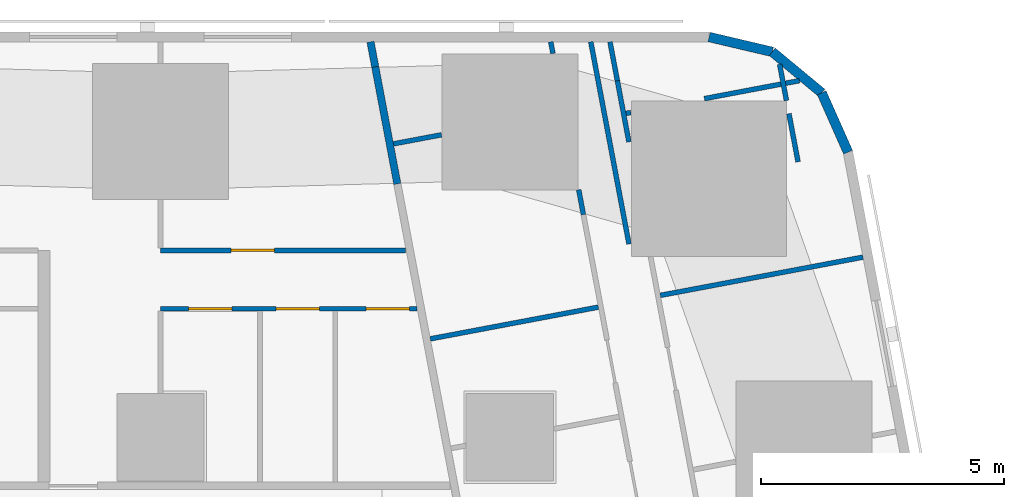
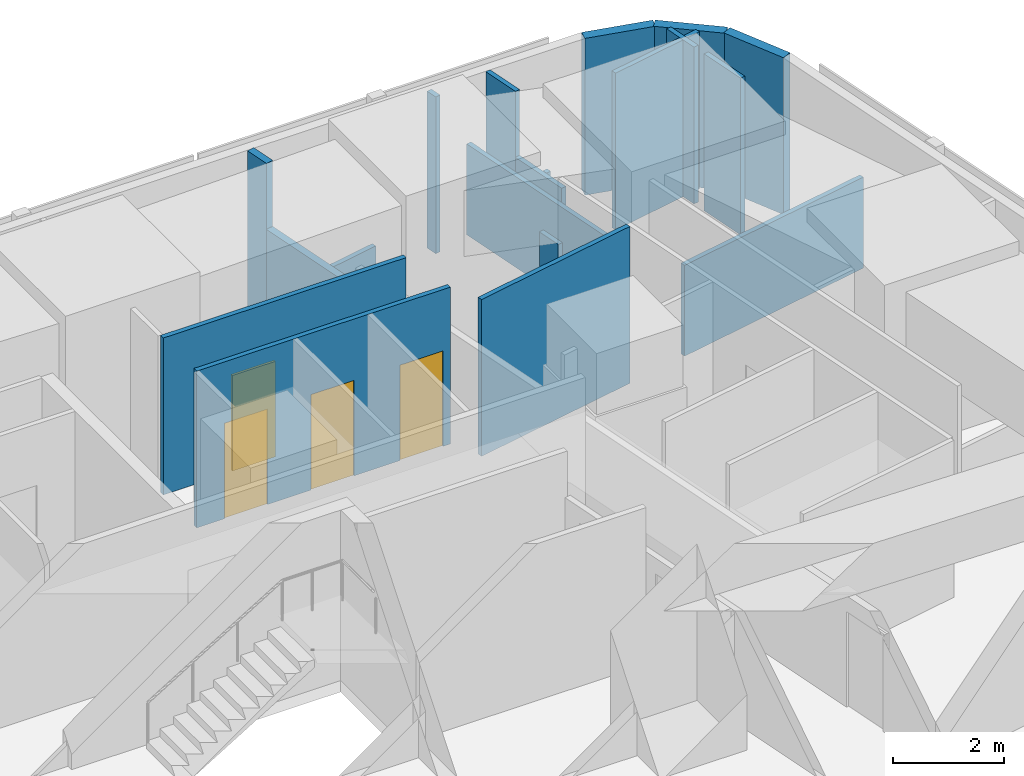
# One storey, part 10 of 15: 19 walls, 4 doors, 4 openings.
"""IFC4 building model written with IfcOpenShell, lengths in metres."""

from ifc_helpers import new_model, si_unit, direction, frame, frame_2d, origin, place, context, subcontext, project, spatial, rectangle, extrude, material, layer, layer_set, type_object, element, fill, save


model = new_model("IFC4")

# Units and contexts
model_context = context("Model", 3, precision=1e-05, world=origin(), true_north=direction((0.0, 1.0)))
body_context = subcontext(model_context, "Body", "Model", "MODEL_VIEW")
ifc_project = project(units=[si_unit("LENGTHUNIT", "METRE"), si_unit("AREAUNIT", "SQUARE_METRE"), si_unit("VOLUMEUNIT", "CUBIC_METRE"), si_unit("PLANEANGLEUNIT", "RADIAN"), si_unit("MASSUNIT", "GRAM", prefix="KILO")], contexts=[model_context])

# Site, building, storey
site_placement = place(None, origin())
site = spatial("IfcSite", under=ifc_project, at=site_placement, CompositionType="ELEMENT")
building_placement = place(site_placement, origin())
building = spatial("IfcBuilding", under=site, at=building_placement, Name="Sheger Commons Tower", CompositionType="ELEMENT")
storey_placement = place(building_placement, frame((0.0, 0.0, 68.75)))
storey = spatial("IfcBuildingStorey", under=building, at=storey_placement, Name="L17", CompositionType="ELEMENT", Elevation=68.75)

# Walls
ifc_material_1 = material(Name="Hollow concrete block masonry, skimmed both sides", Category="masonry")
ifc_layer_1 = layer(ifc_material_1, 0.14990234375)
ifc_layer_set_1 = layer_set([ifc_layer_1], Name="CORRIDOR WALL 150")
wall_type_1 = type_object("IfcWallType", Name="CORRIDOR WALL 150", PredefinedType="SOLIDWALL", material=ifc_layer_set_1)
wall_1_placement = place(storey_placement, frame((33.126953125, 45.64990234375, 0.0), z_axis=(0.0, 0.0, 1.0), x_axis=(0.185441815104, -0.982655246366, 0.0)))
element("IfcWall", 1, at=wall_1_placement, inside=storey, type_object=wall_type_1, Name="Corridor wall L17", PredefinedType="SOLIDWALL", context=body_context, shape_type="SweptSolid", body=[
    extrude(rectangle(XDim=0.52392578125, YDim=0.14990234375, at=frame_2d((0.261962890625, 0.0))), origin(), (0.0, 0.0, 1.0), 3.449951171875),
])
wall_2_placement = place(storey_placement, frame((33.22412109375, 45.135009765625, 0.0), z_axis=(0.0, 0.0, 1.0), x_axis=(0.185681462868, -0.982609990967, 0.0)))
element("IfcWall", 2, at=wall_2_placement, inside=storey, type_object=wall_type_1, Name="Corridor wall L17", PredefinedType="SOLIDWALL", context=body_context, shape_type="SweptSolid", body=[
    extrude(rectangle(XDim=2.454833984375, YDim=0.14990234375, at=frame_2d((1.2275390625, 0.0))), origin(), (0.0, 0.0, 1.0), 2.0),
])
ifc_material_2 = material(Name="Rendered concrete block masonry, dark grey", Category="masonry")
ifc_layer_2 = layer(ifc_material_2, 0.199951171875)
ifc_layer_set_2 = layer_set([ifc_layer_2], Name="FACADE WALL 200")
wall_type_2 = type_object("IfcWallType", Name="FACADE WALL 200", PredefinedType="SOLIDWALL", material=ifc_layer_set_2)
wall_3_placement = place(storey_placement, frame((42.969970703125, 43.376953125, 0.0), z_axis=(0.0, 0.0, 1.0), x_axis=(-0.406002956633, 0.913871762998, 0.0)))
element("IfcWall", 3, at=wall_3_placement, inside=storey, type_object=wall_type_2, Name="Facade wall L17", PredefinedType="SOLIDWALL", context=body_context, shape_type="SweptSolid", body=[
    extrude(rectangle(XDim=1.33740234375, YDim=0.199951171875, at=frame_2d((0.668701171875, 0.0))), origin(), (0.0, 0.0, 1.0), 3.449951171875),
])
wall_4_placement = place(storey_placement, frame((42.427001953125, 44.59912109375, 0.0), z_axis=(0.0, 0.0, 1.0), x_axis=(-0.770091412544, 0.637933551655, 0.0)))
element("IfcWall", 4, at=wall_4_placement, inside=storey, type_object=wall_type_2, Name="Facade wall L17", PredefinedType="SOLIDWALL", context=body_context, shape_type="SweptSolid", body=[
    extrude(rectangle(XDim=1.324462890625, YDim=0.199951171875, at=frame_2d((0.662109375, 0.0))), origin(), (0.0, 0.0, 1.0), 3.449951171875),
])
wall_5_placement = place(storey_placement, frame((41.406982421875, 45.444091796875, 0.0), z_axis=(0.0, 0.0, 1.0), x_axis=(-0.973453091607, 0.228886606077, 0.0)))
element("IfcWall", 5, at=wall_5_placement, inside=storey, type_object=wall_type_2, Name="Facade wall L17", PredefinedType="SOLIDWALL", context=body_context, shape_type="SweptSolid", body=[
    extrude(rectangle(XDim=1.33642578125, YDim=0.199951171875, at=frame_2d((0.668212890625, 0.0))), origin(), (0.0, 0.0, 1.0), 3.449951171875),
])
ifc_material_3 = material(Name="Gypsum board on steel studs", Category="steel")
ifc_layer_3 = layer(ifc_material_3, 0.10009765625)
ifc_layer_set_3 = layer_set([ifc_layer_3], Name="PARTITION 100")
wall_type_3 = type_object("IfcWallType", Name="PARTITION 100", PredefinedType="PARTITIONING", material=ifc_layer_set_3)
wall_6_placement = place(storey_placement, frame((38.4541015625, 41.48291015625, 0.0), z_axis=(0.0, 0.0, 1.0), x_axis=(-0.185609245326, 0.982623634994, 0.0)))
element("IfcWall", 6, at=wall_6_placement, inside=storey, type_object=wall_type_3, Name="Partition L17", PredefinedType="PARTITIONING", context=body_context, shape_type="SweptSolid", body=[
    extrude(rectangle(XDim=4.24072265625, YDim=0.10009765625, at=frame_2d((2.120361328125, 0.0))), origin(), (0.0, 0.0, 1.0), 2.0),
])
wall_7_placement = place(storey_placement, frame((41.55908203125, 45.18798828125, 0.0), z_axis=(0.0, 0.0, 1.0), x_axis=(0.185063078849, -0.98272664401, 0.0)))
element("IfcWall", 7, at=wall_7_placement, inside=storey, type_object=wall_type_3, Name="Partition L17", PredefinedType="PARTITIONING", context=body_context, shape_type="SweptSolid", body=[
    extrude(rectangle(XDim=0.76123046875, YDim=0.10009765625, at=frame_2d((0.380615234375, 0.0))), origin(), (0.0, 0.0, 1.0), 3.449951171875),
])
wall_8_placement = place(storey_placement, frame((41.7509765625, 44.169921875, 0.0), z_axis=(0.0, 0.0, 1.0), x_axis=(0.186024046654, -0.98254519187, 0.0)))
element("IfcWall", 8, at=wall_8_placement, inside=storey, type_object=wall_type_3, Name="Partition L17", PredefinedType="PARTITIONING", context=body_context, shape_type="SweptSolid", body=[
    extrude(rectangle(XDim=1.010498046875, YDim=0.10009765625, at=frame_2d((0.50537109375, 0.0))), origin(), (0.0, 0.0, 1.0), 3.449951171875),
])
wall_9_placement = place(storey_placement, frame((38.06298828125, 45.64990234375, 0.0), z_axis=(0.0, 0.0, 1.0), x_axis=(0.186109918919, -0.982528929895, 0.0)))
element("IfcWall", 9, at=wall_9_placement, inside=storey, type_object=wall_type_3, Name="Partition L17", PredefinedType="PARTITIONING", context=body_context, shape_type="SweptSolid", body=[
    extrude(rectangle(XDim=0.817138671875, YDim=0.10009765625, at=frame_2d((0.40869140625, 0.0))), origin(), (0.0, 0.0, 1.0), 3.449951171875),
])
wall_10_placement = place(storey_placement, frame((38.215087890625, 44.846923828125, 0.0), z_axis=(0.0, 0.0, 1.0), x_axis=(0.185449486507, -0.982653798626, 0.0)))
element("IfcWall", 10, at=wall_10_placement, inside=storey, type_object=wall_type_3, Name="Partition L17", PredefinedType="PARTITIONING", context=body_context, shape_type="SweptSolid", body=[
    extrude(rectangle(XDim=1.2822265625, YDim=0.10009765625, at=frame_2d((0.64111328125, 0.0))), origin(), (0.0, 0.0, 1.0), 2.0),
])
wall_11_placement = place(storey_placement, frame((36.842041015625, 45.64990234375, 0.0), z_axis=(0.0, 0.0, 1.0), x_axis=(0.183986661451, -0.982928740249, 0.0)))
element("IfcWall", 11, at=wall_11_placement, inside=storey, type_object=wall_type_3, Name="Partition L17", PredefinedType="PARTITIONING", context=body_context, shape_type="SweptSolid", body=[
    extrude(rectangle(XDim=0.244140625, YDim=0.10009765625, at=frame_2d((0.1220703125, 0.0))), origin(), (0.0, 0.0, 1.0), 3.449951171875),
])
wall_12_placement = place(storey_placement, frame((37.41796875, 42.60205078125, 0.0), z_axis=(0.0, 0.0, 1.0), x_axis=(0.185672001976, -0.982611778721, 0.0)))
element("IfcWall", 12, at=wall_12_placement, inside=storey, type_object=wall_type_3, Name="Partition L17", PredefinedType="PARTITIONING", context=body_context, shape_type="SweptSolid", body=[
    extrude(rectangle(XDim=0.52197265625, YDim=0.10009765625, at=frame_2d((0.260986328125, 0.0))), origin(), (0.0, 0.0, 1.0), 2.0),
])
wall_13_placement = place(storey_placement, frame((41.968017578125, 44.85009765625, 0.0), z_axis=(0.0, 0.0, 1.0), x_axis=(-0.982543651732, -0.186032181195, 0.0)))
element("IfcWall", 13, at=wall_13_placement, inside=storey, type_object=wall_type_3, Name="Partition L17", PredefinedType="PARTITIONING", context=body_context, shape_type="SweptSolid", body=[
    extrude(rectangle(XDim=1.994873046875, YDim=0.10009765625, at=frame_2d((0.99755859375, 0.0))), origin(), (0.0, 0.0, 1.0), 3.449951171875),
])
wall_14_placement = place(storey_placement, frame((38.491943359375, 44.193115234375, 0.0), z_axis=(0.0, 0.0, 1.0), x_axis=(-0.981954528773, -0.189117168504, 0.0)))
element("IfcWall", 14, at=wall_14_placement, inside=storey, type_object=wall_type_3, Name="Partition L17", PredefinedType="PARTITIONING", context=body_context, shape_type="SweptSolid", body=[
    extrude(rectangle(XDim=0.1005859375, YDim=0.10009765625, at=frame_2d((0.05029296875, 0.0))), origin(), (0.0, 0.0, 1.0), 2.0),
])
wall_15_placement = place(storey_placement, frame((43.277099609375, 41.2119140625, 0.0), z_axis=(0.0, 0.0, 1.0), x_axis=(-0.982665405803, -0.185387972203, 0.0)))
element("IfcWall", 15, at=wall_15_placement, inside=storey, type_object=wall_type_3, Name="Partition L17", PredefinedType="PARTITIONING", context=body_context, shape_type="SweptSolid", body=[
    extrude(rectangle(XDim=4.249755859375, YDim=0.10009765625, at=frame_2d((2.125, 0.0))), origin(), (0.0, 0.0, 1.0), 2.0),
])
wall_16_placement = place(storey_placement, frame((34.590087890625, 43.73388671875, 0.0), z_axis=(0.0, 0.0, 1.0), x_axis=(-0.982632457012, -0.185562535081, 0.0)))
element("IfcWall", 16, at=wall_16_placement, inside=storey, type_object=wall_type_3, Name="Partition L17", PredefinedType="PARTITIONING", context=body_context, shape_type="SweptSolid", body=[
    extrude(rectangle(XDim=1.006591796875, YDim=0.10009765625, at=frame_2d((0.50341796875, 0.0))), origin(), (0.0, 0.0, 1.0), 2.0),
])
wall_17_placement = place(storey_placement, frame((37.823974609375, 40.181884765625, 0.0), z_axis=(0.0, 0.0, 1.0), x_axis=(-0.982648794755, -0.185475998897, 0.0)))
element("IfcWall", 17, at=wall_17_placement, inside=storey, type_object=wall_type_3, Name="Partition L17", PredefinedType="PARTITIONING", context=body_context, shape_type="SweptSolid", body=[
    extrude(rectangle(XDim=3.525146484375, YDim=0.10009765625, at=frame_2d((1.7626953125, 0.0))), origin(), (0.0, 0.0, 1.0), 3.449951171875),
])

# Wall, opening, door
wall_18_placement = place(storey_placement, frame((28.800048828125, 41.35009765625, 0.0), z_axis=(0.0, 0.0, 1.0), x_axis=(1.0, 0.0, 0.0)))
wall_18 = element("IfcWall", 18, at=wall_18_placement, inside=storey, type_object=wall_type_3, Name="Partition L17", PredefinedType="PARTITIONING", context=body_context, shape_type="SweptSolid", body=[
    extrude(rectangle(XDim=5.052978515625, YDim=0.10009765625, at=frame_2d((2.5263671875, 0.0))), origin(), (0.0, 0.0, 1.0), 3.449951171875),
])
opening_1_placement = place(wall_18_placement, frame((1.449951171875, 0.0, 0.0)))
opening_1 = element("IfcOpeningElement", 19, at=opening_1_placement, cuts=wall_18, Name="Opening D2", PredefinedType="OPENING", context=body_context, shape_type="SweptSolid", body=[
    extrude(rectangle(XDim=0.89990234375, YDim=2.10009765625, at=frame_2d((0.449951171875, 1.050048828125))), frame((0.0, 0.06005859375, 0.0), z_axis=(0.0, -1.0, 0.0), x_axis=(1.0, 0.0, 0.0)), (0.0, 0.0, 1.0), 0.1201171875),
])
ifc_material_4 = material(Name="Timber door set", Category="wood")
door_type = type_object("IfcDoorType", Name="INTERNAL DOOR 900x2100", OperationType="NOTDEFINED", PredefinedType="DOOR", material=ifc_material_4)
door_1_placement = place(opening_1_placement, origin())
door_1 = element("IfcDoor", 20, at=door_1_placement, inside=storey, type_object=door_type, Name="Main bedroom door", OperationType="SINGLE_SWING_RIGHT", OverallHeight=2.10009765625, OverallWidth=0.89990234375, PredefinedType="DOOR", context=body_context, shape_type="SweptSolid", body=[
    extrude(rectangle(XDim=0.89990234375, YDim=2.10009765625, at=frame_2d((0.449951171875, 1.050048828125))), frame((0.0, 0.02490234375, 0.0), z_axis=(0.0, -1.0, 0.0), x_axis=(1.0, 0.0, 0.0)), (0.0, 0.0, 1.0), 0.050048828125),
])
fill(opening_1, door_1)

# Wall, openings, doors
wall_19_placement = place(storey_placement, frame((28.800048828125, 40.14990234375, 0.0), z_axis=(0.0, 0.0, 1.0), x_axis=(1.0, 0.0, 0.0)))
wall_19 = element("IfcWall", 21, at=wall_19_placement, inside=storey, type_object=wall_type_3, Name="Partition L17", PredefinedType="PARTITIONING", context=body_context, shape_type="SweptSolid", body=[
    extrude(rectangle(XDim=5.280029296875, YDim=0.10009765625, at=frame_2d((2.64013671875, 0.0))), origin(), (0.0, 0.0, 1.0), 3.449951171875),
])
opening_2_placement = place(wall_19_placement, frame((0.574951171875, 0.0, 0.0)))
opening_2 = element("IfcOpeningElement", 22, at=opening_2_placement, cuts=wall_19, Name="Opening D2", PredefinedType="OPENING", context=body_context, shape_type="SweptSolid", body=[
    extrude(rectangle(XDim=0.89990234375, YDim=2.10009765625, at=frame_2d((0.449951171875, 1.050048828125))), frame((0.0, 0.06005859375, 0.0), z_axis=(0.0, -1.0, 0.0), x_axis=(1.0, 0.0, 0.0)), (0.0, 0.0, 1.0), 0.1201171875),
])
opening_3_placement = place(wall_19_placement, frame((4.22998046875, 0.0, 0.0)))
opening_3 = element("IfcOpeningElement", 23, at=opening_3_placement, cuts=wall_19, Name="Opening D2", PredefinedType="OPENING", context=body_context, shape_type="SweptSolid", body=[
    extrude(rectangle(XDim=0.89990234375, YDim=2.10009765625, at=frame_2d((0.449951171875, 1.050048828125))), frame((0.0, 0.06005859375, 0.0), z_axis=(0.0, -1.0, 0.0), x_axis=(1.0, 0.0, 0.0)), (0.0, 0.0, 1.0), 0.1201171875),
])
opening_4_placement = place(wall_19_placement, frame((2.375, 0.0, 0.0)))
opening_4 = element("IfcOpeningElement", 24, at=opening_4_placement, cuts=wall_19, Name="Opening D2", PredefinedType="OPENING", context=body_context, shape_type="SweptSolid", body=[
    extrude(rectangle(XDim=0.89990234375, YDim=2.10009765625, at=frame_2d((0.449951171875, 1.050048828125))), frame((0.0, 0.06005859375, 0.0), z_axis=(0.0, -1.0, 0.0), x_axis=(1.0, 0.0, 0.0)), (0.0, 0.0, 1.0), 0.1201171875),
])
door_2_placement = place(opening_2_placement, origin())
door_2 = element("IfcDoor", 25, at=door_2_placement, inside=storey, type_object=door_type, Name="Bathroom door", OperationType="SINGLE_SWING_RIGHT", OverallHeight=2.10009765625, OverallWidth=0.89990234375, PredefinedType="DOOR", context=body_context, shape_type="SweptSolid", body=[
    extrude(rectangle(XDim=0.89990234375, YDim=2.10009765625, at=frame_2d((0.449951171875, 1.050048828125))), frame((0.0, 0.02490234375, 0.0), z_axis=(0.0, -1.0, 0.0), x_axis=(1.0, 0.0, 0.0)), (0.0, 0.0, 1.0), 0.050048828125),
])
fill(opening_2, door_2)
door_3_placement = place(opening_3_placement, origin())
door_3 = element("IfcDoor", 26, at=door_3_placement, inside=storey, type_object=door_type, Name="Laundry room door", OperationType="SINGLE_SWING_LEFT", OverallHeight=2.10009765625, OverallWidth=0.89990234375, PredefinedType="DOOR", context=body_context, shape_type="SweptSolid", body=[
    extrude(rectangle(XDim=0.89990234375, YDim=2.10009765625, at=frame_2d((0.449951171875, 1.050048828125))), frame((0.0, 0.02490234375, 0.0), z_axis=(0.0, -1.0, 0.0), x_axis=(1.0, 0.0, 0.0)), (0.0, 0.0, 1.0), 0.050048828125),
])
fill(opening_3, door_3)
door_4_placement = place(opening_4_placement, origin())
door_4 = element("IfcDoor", 27, at=door_4_placement, inside=storey, type_object=door_type, Name="Store door", OperationType="SINGLE_SWING_RIGHT", OverallHeight=2.10009765625, OverallWidth=0.89990234375, PredefinedType="DOOR", context=body_context, shape_type="SweptSolid", body=[
    extrude(rectangle(XDim=0.89990234375, YDim=2.10009765625, at=frame_2d((0.449951171875, 1.050048828125))), frame((0.0, 0.02490234375, 0.0), z_axis=(0.0, -1.0, 0.0), x_axis=(1.0, 0.0, 0.0)), (0.0, 0.0, 1.0), 0.050048828125),
])
fill(opening_4, door_4)

save(model, "model.ifc")
